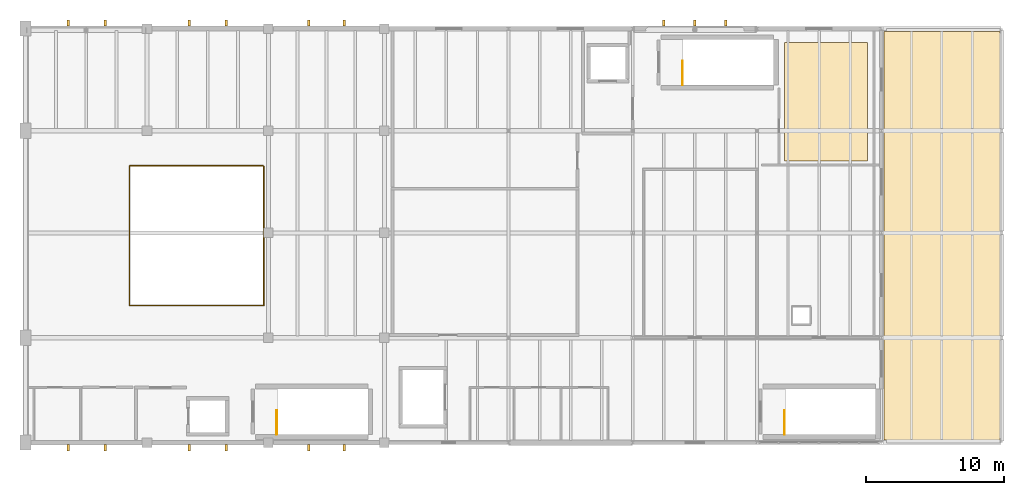
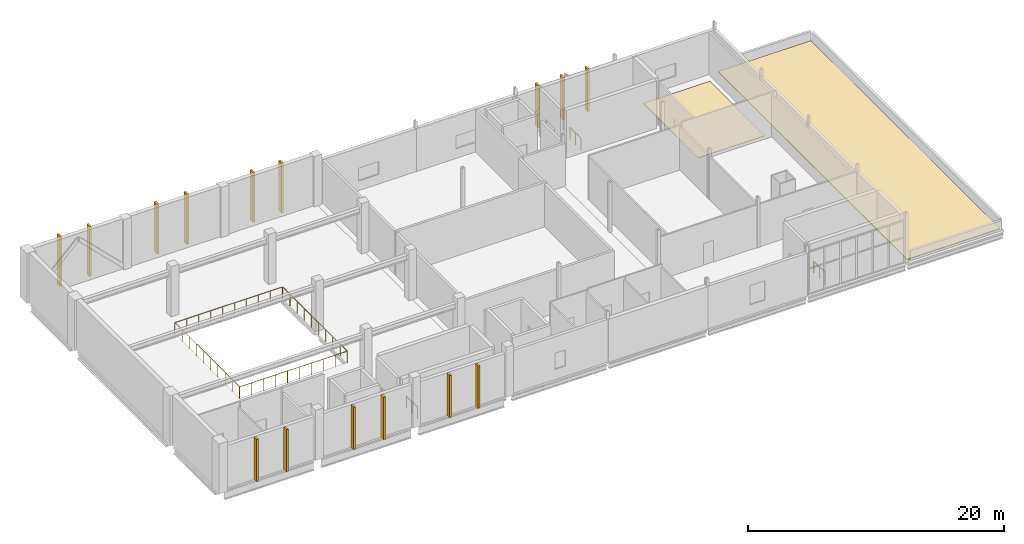
# One storey, part 14 of 14: 15 shading devices, 5 railings, 2 coverings.
"""IFC4 building model written with IfcOpenShell, lengths in metres."""

from ifc_helpers import new_model, si_unit, direction, frame, origin, origin_2d, place, context, subcontext, project, spatial, polyline, rectangle, circle, outline, extrude, material, layer, layer_set, type_object, element, save


model = new_model("IFC4")

# Units and contexts
model_context = context("Model", 3, precision=1e-05, world=origin(), true_north=direction((0.0, 1.0)))
body_context = subcontext(model_context, "Body", "Model", "MODEL_VIEW")
ifc_project = project(units=[si_unit("LENGTHUNIT", "METRE"), si_unit("AREAUNIT", "SQUARE_METRE"), si_unit("VOLUMEUNIT", "CUBIC_METRE"), si_unit("PLANEANGLEUNIT", "RADIAN"), si_unit("MASSUNIT", "GRAM", prefix="KILO")], contexts=[model_context])

# Site, building, storey
site_placement = place(None, origin())
site = spatial("IfcSite", under=ifc_project, at=site_placement, CompositionType="ELEMENT")
building_placement = place(site_placement, origin())
building = spatial("IfcBuilding", under=site, at=building_placement, Name="Shengluoqiao Park Theatre", CompositionType="ELEMENT")
storey_placement = place(building_placement, frame((0.0, 0.0, 23.800048828125)))
storey = spatial("IfcBuildingStorey", under=building, at=storey_placement, Name="L05", CompositionType="ELEMENT", Elevation=23.800048828125)

# Covering
ifc_material_1 = material(Name="TPO roofing membrane")
ifc_layer_1 = layer(ifc_material_1, 0.06494140625, Name="TPO roofing membrane")
ifc_layer_set_1 = layer_set([ifc_layer_1], Name="TPO roofing membrane")
covering_type_1 = type_object("IfcCoveringType", Name="ENV-COV-RFMEM", PredefinedType="ROOFING", material=ifc_layer_set_1)
covering_1_placement = place(storey_placement, origin())
element("IfcCovering", 1, at=covering_1_placement, inside=storey, type_object=covering_type_1, Name="Acoustic Roof Membrane COV-RF-V6L05", PredefinedType="ROOFING", context=body_context, shape_type="SweptSolid", body=[
    extrude(outline(polyline([(148.60009765625, 84.199951171875), (157.0, 84.199951171875), (157.0, 113.800048828125), (148.60009765625, 113.800048828125), (148.60009765625, 84.199951171875)])), origin(), (0.0, 0.0, 1.0), 0.06494140625),
])

# Shading devices
ifc_material_2 = material(Name="Concrete C45", Category="concrete")
ifc_layer_2 = layer(ifc_material_2, 0.179931640625, Name="Concrete C45")
ifc_layer_set_2 = layer_set([ifc_layer_2], Name="Concrete C45")
shading_device_type = type_object("IfcShadingDeviceType", Name="ENV-FIN-450x180", PredefinedType="USERDEFINED", material=ifc_layer_set_2)
for number, where, z_axis, x_axis, name in (
    (2, (89.484619140625, 114.39990234375, 0.02001953125), (0.0, 0.0, 1.0), (0.0, 1.0, 0.0), "L05 Vertical Concrete Acoustic Rib 0108"),
    (3, (92.165283203125, 114.39990234375, 0.02001953125), (0.0, 0.0, 1.0), (0.0, 1.0, 0.0), "L05 Vertical Concrete Acoustic Rib 0109"),
    (4, (98.251220703125, 114.39990234375, 0.02001953125), (0.0, 0.0, 1.0), (0.0, 1.0, 0.0), "L05 Vertical Concrete Acoustic Rib 0110"),
    (5, (100.94873046875, 114.39990234375, 0.02001953125), (0.0, 0.0, 1.0), (0.0, 1.0, 0.0), "L05 Vertical Concrete Acoustic Rib 0111"),
    (6, (106.91796875, 114.39990234375, 0.02001953125), (0.0, 0.0, 1.0), (0.0, 1.0, 0.0), "L05 Vertical Concrete Acoustic Rib 0112"),
    (7, (109.48193359375, 114.39990234375, 0.02001953125), (0.0, 0.0, 1.0), (0.0, 1.0, 0.0), "L05 Vertical Concrete Acoustic Rib 0113"),
):
    element("IfcShadingDevice", number, at=place(storey_placement, frame(where, z_axis=z_axis, x_axis=x_axis)), inside=storey, type_object=shading_device_type, Name=name, ObjectType="FIN", PredefinedType="USERDEFINED", context=body_context, shape_type="SweptSolid", body=[
        extrude(rectangle(XDim=0.449951171875, YDim=0.179931640625, at=origin_2d()), origin(), (0.0, 0.0, 1.0), 4.760009765625),
    ])
for number, where, z_axis, x_axis, name in (
    (8, (89.484619140625, 83.635009765625, 0.02001953125), (0.0, 0.0, 1.0), (0.0, -1.0, 0.0), "L05 Vertical Concrete Acoustic Rib 0114"),
    (9, (92.165283203125, 83.635009765625, 0.02001953125), (0.0, 0.0, 1.0), (0.0, -1.0, 0.0), "L05 Vertical Concrete Acoustic Rib 0115"),
    (10, (98.251220703125, 83.635009765625, 0.02001953125), (0.0, 0.0, 1.0), (0.0, -1.0, 0.0), "L05 Vertical Concrete Acoustic Rib 0116"),
    (11, (100.94873046875, 83.635009765625, 0.02001953125), (0.0, 0.0, 1.0), (0.0, -1.0, 0.0), "L05 Vertical Concrete Acoustic Rib 0117"),
    (12, (106.91796875, 83.635009765625, 0.02001953125), (0.0, 0.0, 1.0), (0.0, -1.0, 0.0), "L05 Vertical Concrete Acoustic Rib 0118"),
    (13, (109.48193359375, 83.635009765625, 0.02001953125), (0.0, 0.0, 1.0), (0.0, -1.0, 0.0), "L05 Vertical Concrete Acoustic Rib 0119"),
):
    element("IfcShadingDevice", number, at=place(storey_placement, frame(where, z_axis=z_axis, x_axis=x_axis)), inside=storey, type_object=shading_device_type, Name=name, ObjectType="FIN", PredefinedType="USERDEFINED", context=body_context, shape_type="SweptSolid", body=[
        extrude(rectangle(XDim=0.449951171875, YDim=0.179931640625, at=origin_2d()), origin(), (0.0, 0.0, 1.0), 4.0380859375),
    ])
for number, where, z_axis, x_axis, name in (
    (14, (132.655029296875, 114.39990234375, 0.02001953125), (0.0, 0.0, 1.0), (0.0, 1.0, 0.0), "L05 Vertical Concrete Acoustic Rib 0159"),
    (15, (134.89990234375, 114.39990234375, 0.02001953125), (0.0, 0.0, 1.0), (0.0, 1.0, 0.0), "L05 Vertical Concrete Acoustic Rib 0160"),
    (16, (137.14501953125, 114.39990234375, 0.02001953125), (0.0, 0.0, 1.0), (0.0, 1.0, 0.0), "L05 Vertical Concrete Acoustic Rib 0161"),
):
    element("IfcShadingDevice", number, at=place(storey_placement, frame(where, z_axis=z_axis, x_axis=x_axis)), inside=storey, type_object=shading_device_type, Name=name, ObjectType="FIN", PredefinedType="USERDEFINED", context=body_context, shape_type="SweptSolid", body=[
        extrude(rectangle(XDim=0.449951171875, YDim=0.179931640625, at=origin_2d()), origin(), (0.0, 0.0, 1.0), 4.048095703125),
    ])

# Covering
ifc_material_3 = material(Name="Honed terrazzo stone", Category="masonry")
ifc_layer_3 = layer(ifc_material_3, 0.030029296875, Name="Honed terrazzo stone")
ifc_layer_set_3 = layer_set([ifc_layer_3], Name="Honed terrazzo stone")
covering_type_2 = type_object("IfcCoveringType", Name="INT-COV-FLR3", PredefinedType="FLOORING", material=ifc_layer_set_3)
covering_2_placement = place(storey_placement, origin())
element("IfcCovering", 17, at=covering_2_placement, inside=storey, type_object=covering_type_2, Name="Boardroom Terrazzo Flooring", PredefinedType="FLOORING", context=body_context, shape_type="SweptSolid", body=[
    extrude(outline(polyline([(141.39990234375, 104.39990234375), (147.39990234375, 104.39990234375), (147.39990234375, 113.0), (141.39990234375, 113.0), (141.39990234375, 104.39990234375)])), origin(), (0.0, 0.0, 1.0), 0.030029296875),
])

# Railings
ifc_material_4 = material(Name="Steel Q355", Category="steel")
railing_type_1 = type_object("IfcRailingType", Name="INT-RL-FLY115", PredefinedType="GUARDRAIL", material=ifc_material_4)
railing_1_placement = place(storey_placement, frame((93.93994140625, 93.93994140625, 0.0)))
element("IfcRailing", 18, at=railing_1_placement, inside=storey, type_object=railing_type_1, Name="L05 VOID-L05-RIG South-East Balustrade 0018", PredefinedType="GUARDRAIL", context=body_context, shape_type="SweptSolid", body=[
    extrude(circle(Radius=0.02392578125, at=origin_2d()), frame((0.0, 0.0, 1.1259765625), z_axis=(1.0, 0.0, 0.0), x_axis=(0.0, 1.0, 0.0)), (0.0, 0.0, 1.0), 9.719970703125),
    extrude(circle(Radius=0.02392578125, at=origin_2d()), frame((9.719970703125, 0.0, 1.1259765625), z_axis=(0.0, 1.0, 0.0), x_axis=(-1.0, 0.0, 0.0)), (0.0, 0.0, 1.0), 10.080078125),
    extrude(circle(Radius=0.02099609375, at=origin_2d()), origin(), (0.0, 0.0, 1.0), 1.101806640625),
    extrude(circle(Radius=0.02099609375, at=origin_2d()), frame((1.080078125, 0.0, 0.0)), (0.0, 0.0, 1.0), 1.101806640625),
    extrude(circle(Radius=0.02099609375, at=origin_2d()), frame((2.159912109375, 0.0, 0.0)), (0.0, 0.0, 1.0), 1.101806640625),
    extrude(circle(Radius=0.02099609375, at=origin_2d()), frame((3.239990234375, 0.0, 0.0)), (0.0, 0.0, 1.0), 1.101806640625),
    extrude(circle(Radius=0.02099609375, at=origin_2d()), frame((4.320068359375, 0.0, 0.0)), (0.0, 0.0, 1.0), 1.101806640625),
    extrude(circle(Radius=0.02099609375, at=origin_2d()), frame((5.39990234375, 0.0, 0.0)), (0.0, 0.0, 1.0), 1.101806640625),
    extrude(circle(Radius=0.02099609375, at=origin_2d()), frame((6.47998046875, 0.0, 0.0)), (0.0, 0.0, 1.0), 1.101806640625),
    extrude(circle(Radius=0.02099609375, at=origin_2d()), frame((7.56005859375, 0.0, 0.0)), (0.0, 0.0, 1.0), 1.101806640625),
    extrude(circle(Radius=0.02099609375, at=origin_2d()), frame((8.639892578125, 0.0, 0.0)), (0.0, 0.0, 1.0), 1.101806640625),
    extrude(circle(Radius=0.02099609375, at=origin_2d()), frame((9.719970703125, 0.0, 0.0)), (0.0, 0.0, 1.0), 1.101806640625),
    extrude(circle(Radius=0.02099609375, at=origin_2d()), frame((9.719970703125, 1.1201171875, 0.0)), (0.0, 0.0, 1.0), 1.101806640625),
    extrude(circle(Radius=0.02099609375, at=origin_2d()), frame((9.719970703125, 2.239990234375, 0.0)), (0.0, 0.0, 1.0), 1.101806640625),
    extrude(circle(Radius=0.02099609375, at=origin_2d()), frame((9.719970703125, 3.360107421875, 0.0)), (0.0, 0.0, 1.0), 1.101806640625),
    extrude(circle(Radius=0.02099609375, at=origin_2d()), frame((9.719970703125, 4.47998046875, 0.0)), (0.0, 0.0, 1.0), 1.101806640625),
    extrude(circle(Radius=0.02099609375, at=origin_2d()), frame((9.719970703125, 5.60009765625, 0.0)), (0.0, 0.0, 1.0), 1.101806640625),
    extrude(circle(Radius=0.02099609375, at=origin_2d()), frame((9.719970703125, 6.719970703125, 0.0)), (0.0, 0.0, 1.0), 1.101806640625),
    extrude(circle(Radius=0.02099609375, at=origin_2d()), frame((9.719970703125, 7.840087890625, 0.0)), (0.0, 0.0, 1.0), 1.101806640625),
    extrude(circle(Radius=0.02099609375, at=origin_2d()), frame((9.719970703125, 8.9599609375, 0.0)), (0.0, 0.0, 1.0), 1.101806640625),
    extrude(circle(Radius=0.02099609375, at=origin_2d()), frame((9.719970703125, 10.080078125, 0.0)), (0.0, 0.0, 1.0), 1.101806640625),
])
railing_2_placement = place(storey_placement, frame((103.6201171875, 104.06005859375, 0.0)))
element("IfcRailing", 19, at=railing_2_placement, inside=storey, type_object=railing_type_1, Name="L05 VOID-L05-RIG North-West Balustrade 0019", PredefinedType="GUARDRAIL", context=body_context, shape_type="SweptSolid", body=[
    extrude(circle(Radius=0.02392578125, at=origin_2d()), frame((0.0, 0.0, 1.1259765625), z_axis=(-1.0, 0.0, 0.0), x_axis=(0.0, -1.0, 0.0)), (0.0, 0.0, 1.0), 9.68017578125),
    extrude(circle(Radius=0.02392578125, at=origin_2d()), frame((-9.68017578125, 0.0, 1.1259765625), z_axis=(0.0, -1.0, 0.0), x_axis=(1.0, 0.0, 0.0)), (0.0, 0.0, 1.0), 10.080078125),
    extrude(circle(Radius=0.02099609375, at=origin_2d()), origin(), (0.0, 0.0, 1.0), 1.101806640625),
    extrude(circle(Radius=0.02099609375, at=origin_2d()), frame((-1.07568359375, 0.0, 0.0)), (0.0, 0.0, 1.0), 1.101806640625),
    extrude(circle(Radius=0.02099609375, at=origin_2d()), frame((-2.151123046875, 0.0, 0.0)), (0.0, 0.0, 1.0), 1.101806640625),
    extrude(circle(Radius=0.02099609375, at=origin_2d()), frame((-3.226806640625, 0.0, 0.0)), (0.0, 0.0, 1.0), 1.101806640625),
    extrude(circle(Radius=0.02099609375, at=origin_2d()), frame((-4.30224609375, 0.0, 0.0)), (0.0, 0.0, 1.0), 1.101806640625),
    extrude(circle(Radius=0.02099609375, at=origin_2d()), frame((-5.3779296875, 0.0, 0.0)), (0.0, 0.0, 1.0), 1.101806640625),
    extrude(circle(Radius=0.02099609375, at=origin_2d()), frame((-6.453369140625, 0.0, 0.0)), (0.0, 0.0, 1.0), 1.101806640625),
    extrude(circle(Radius=0.02099609375, at=origin_2d()), frame((-7.529052734375, 0.0, 0.0)), (0.0, 0.0, 1.0), 1.101806640625),
    extrude(circle(Radius=0.02099609375, at=origin_2d()), frame((-8.6044921875, 0.0, 0.0)), (0.0, 0.0, 1.0), 1.101806640625),
    extrude(circle(Radius=0.02099609375, at=origin_2d()), frame((-9.68017578125, 0.0, 0.0)), (0.0, 0.0, 1.0), 1.101806640625),
    extrude(circle(Radius=0.02099609375, at=origin_2d()), frame((-9.68017578125, -1.1201171875, 0.0)), (0.0, 0.0, 1.0), 1.101806640625),
    extrude(circle(Radius=0.02099609375, at=origin_2d()), frame((-9.68017578125, -2.239990234375, 0.0)), (0.0, 0.0, 1.0), 1.101806640625),
    extrude(circle(Radius=0.02099609375, at=origin_2d()), frame((-9.68017578125, -3.360107421875, 0.0)), (0.0, 0.0, 1.0), 1.101806640625),
    extrude(circle(Radius=0.02099609375, at=origin_2d()), frame((-9.68017578125, -4.47998046875, 0.0)), (0.0, 0.0, 1.0), 1.101806640625),
    extrude(circle(Radius=0.02099609375, at=origin_2d()), frame((-9.68017578125, -5.60009765625, 0.0)), (0.0, 0.0, 1.0), 1.101806640625),
    extrude(circle(Radius=0.02099609375, at=origin_2d()), frame((-9.68017578125, -6.719970703125, 0.0)), (0.0, 0.0, 1.0), 1.101806640625),
    extrude(circle(Radius=0.02099609375, at=origin_2d()), frame((-9.68017578125, -7.840087890625, 0.0)), (0.0, 0.0, 1.0), 1.101806640625),
    extrude(circle(Radius=0.02099609375, at=origin_2d()), frame((-9.68017578125, -8.9599609375, 0.0)), (0.0, 0.0, 1.0), 1.101806640625),
    extrude(circle(Radius=0.02099609375, at=origin_2d()), frame((-9.68017578125, -10.080078125, 0.0)), (0.0, 0.0, 1.0), 1.101806640625),
])
ifc_material_5 = material(Name="Painted steel", Category="steel")
railing_type_2 = type_object("IfcRailingType", Name="INT-RL-STGRD", PredefinedType="GUARDRAIL", material=ifc_material_5)
for number, where, name in (
    (20, (104.60009765625, 84.60009765625, 0.0), "L05 ST-05 top well guard 1"),
    (21, (134.0, 109.89990234375, 0.0), "L05 ST-06 top well guard 1"),
    (22, (141.39990234375, 84.60009765625, 0.0), "L05 ST-10 top well guard 1"),
):
    element("IfcRailing", number, at=place(storey_placement, frame(where)), inside=storey, type_object=railing_type_2, Name=name, PredefinedType="GUARDRAIL", context=body_context, shape_type="SweptSolid", body=[
        extrude(circle(Radius=0.02392578125, at=origin_2d()), frame((0.0, 0.0, 1.1259765625), z_axis=(0.0, 1.0, 0.0), x_axis=(-1.0, 0.0, 0.0)), (0.0, 0.0, 1.0), 1.739990234375),
        extrude(circle(Radius=0.02099609375, at=origin_2d()), origin(), (0.0, 0.0, 1.0), 1.101806640625),
        extrude(circle(Radius=0.02099609375, at=origin_2d()), frame((0.0, 0.8701171875, 0.0)), (0.0, 0.0, 1.0), 1.101806640625),
        extrude(circle(Radius=0.02099609375, at=origin_2d()), frame((0.0, 1.739990234375, 0.0)), (0.0, 0.0, 1.0), 1.101806640625),
    ])

save(model, "model.ifc")
